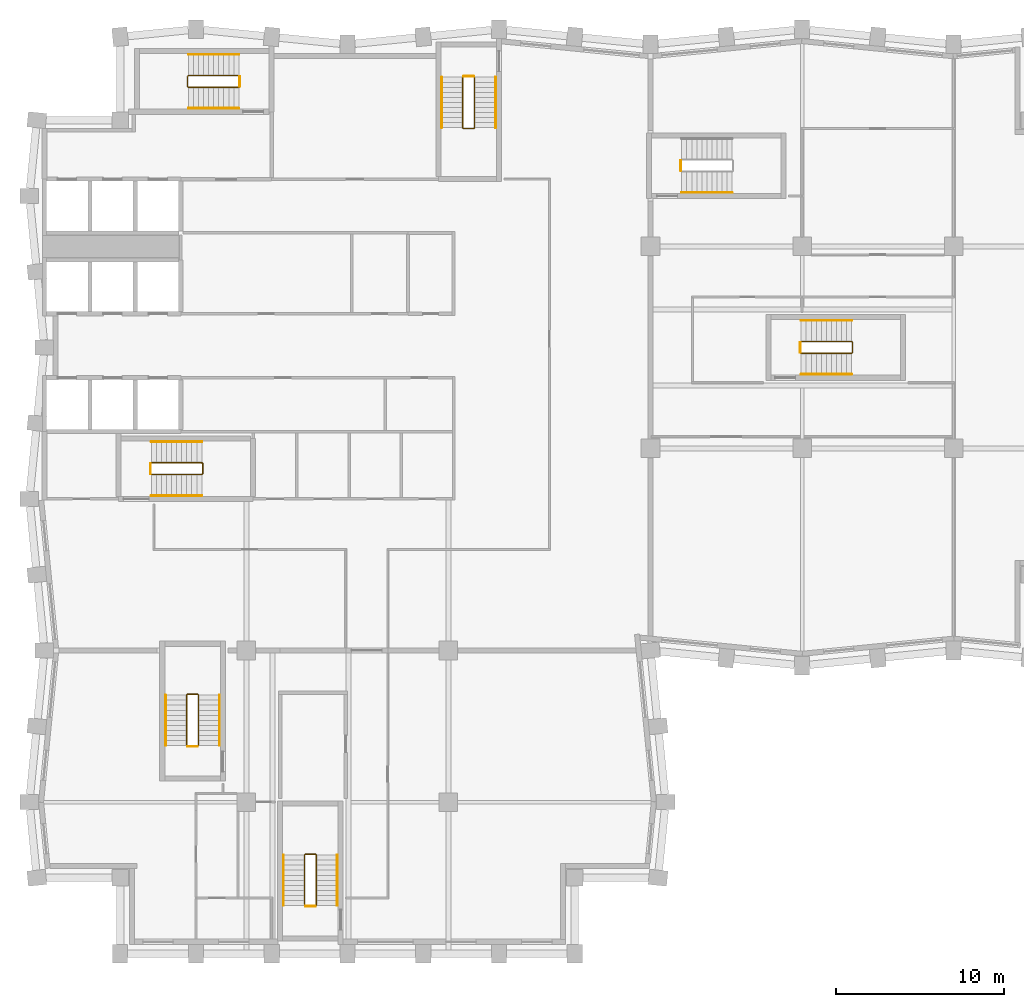
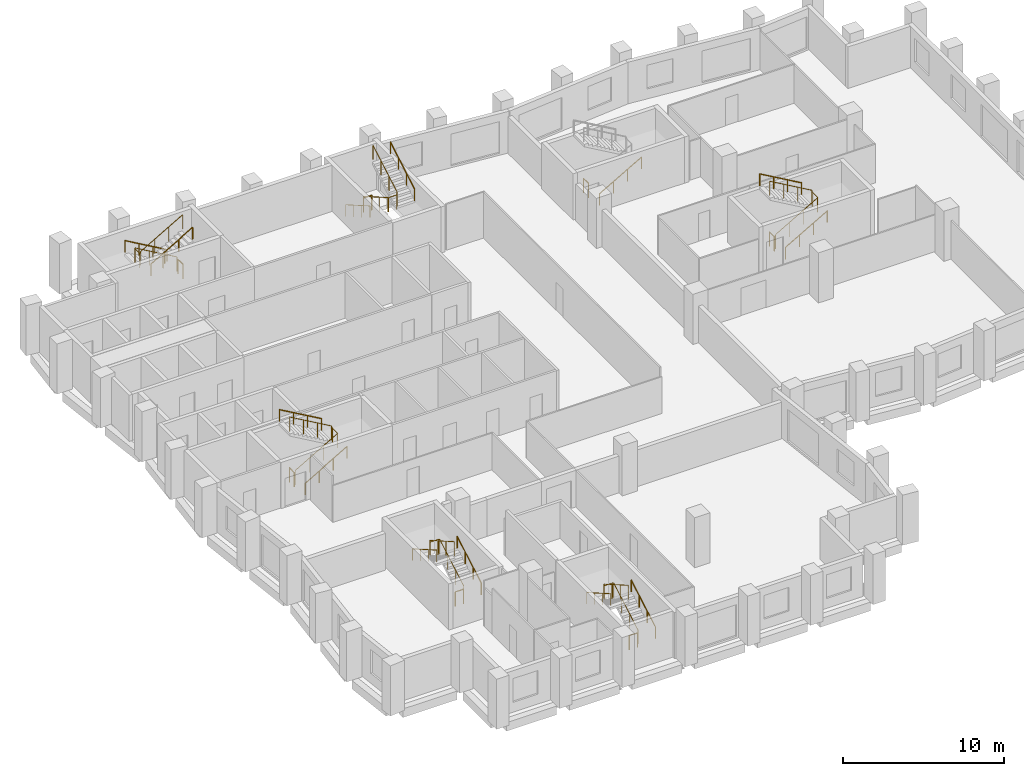
# One storey, part 9 of 10: 26 railings.
"""IFC4 building model written with IfcOpenShell, lengths in metres."""

from ifc_helpers import new_model, si_unit, direction, frame, origin, origin_2d, place, context, subcontext, project, spatial, circle, extrude, material, type_object, element, save


model = new_model("IFC4")

# Units and contexts
model_context = context("Model", 3, precision=1e-05, world=origin(), true_north=direction((0.0, 1.0)))
body_context = subcontext(model_context, "Body", "Model", "MODEL_VIEW")
ifc_project = project(units=[si_unit("LENGTHUNIT", "METRE"), si_unit("AREAUNIT", "SQUARE_METRE"), si_unit("VOLUMEUNIT", "CUBIC_METRE"), si_unit("PLANEANGLEUNIT", "RADIAN"), si_unit("MASSUNIT", "GRAM", prefix="KILO")], contexts=[model_context])

# Site, building, storey
site_placement = place(None, origin())
site = spatial("IfcSite", under=ifc_project, at=site_placement, CompositionType="ELEMENT")
building_placement = place(site_placement, origin())
building = spatial("IfcBuilding", under=site, at=building_placement, Name="Brondeck Convention Tower", CompositionType="ELEMENT")
storey_placement = place(building_placement, frame((0.0, 0.0, 181.39990234375)))
storey = spatial("IfcBuildingStorey", under=building, at=storey_placement, Name="L44", CompositionType="ELEMENT", Elevation=181.39990234375)

# Railings
ifc_material = material(Name="Steel S355", Category="steel")
railing_type_1 = type_object("IfcRailingType", Name="Stair guard 1100", PredefinedType="GUARDRAIL", material=ifc_material)
railing_1_placement = place(storey_placement, frame((6.35009765625, 37.449951171875, 0.1728515625)))
element("IfcRailing", 1, at=railing_1_placement, inside=storey, type_object=railing_type_1, Name="L44 ST-1 stair guard 1", PredefinedType="GUARDRAIL", context=body_context, shape_type="SweptSolid", body=[
    extrude(circle(Radius=0.02392578125, at=origin_2d()), frame((0.0, 0.0, 1.076171875), z_axis=(0.866619684472, 0.0, 0.498969260062), x_axis=(0.0, 1.0, 0.0)), (0.0, 0.0, 1.0), 3.461669921875),
    extrude(circle(Radius=0.02392578125, at=origin_2d()), frame((3.0, 0.0, 2.80322265625), z_axis=(0.705375805398, 0.708833529934, 0.0), x_axis=(-0.708833529934, 0.705375805398, 0.0)), (0.0, 0.0, 1.0), 0.070556640625),
    extrude(circle(Radius=0.02392578125, at=origin_2d()), frame((3.0498046875, 0.050048828125, 2.80322265625), z_axis=(0.0, 1.0, 0.0), x_axis=(-1.0, 0.0, 0.0)), (0.0, 0.0, 1.0), 0.60009765625),
    extrude(circle(Radius=0.02392578125, at=origin_2d()), frame((3.0498046875, 0.650146484375, 2.80322265625), z_axis=(-0.26715648603, 0.26715648603, 0.925880566782), x_axis=(-0.707106781187, -0.707106781187, 0.0)), (0.0, 0.0, 1.0), 0.1865234375),
    extrude(circle(Radius=0.02392578125, at=origin_2d()), frame((3.0, 0.699951171875, 2.97607421875), z_axis=(-0.866619684472, 0.0, 0.498969260062), x_axis=(0.0, -1.0, 0.0)), (0.0, 0.0, 1.0), 3.461669921875),
    extrude(circle(Radius=0.02099609375, at=origin_2d()), origin(), (0.0, 0.0, 1.0), 1.052001953125),
    extrude(circle(Radius=0.02099609375, at=origin_2d()), frame((1.0, 0.0, 0.57568359375)), (0.0, 0.0, 1.0), 1.052001953125),
    extrude(circle(Radius=0.02099609375, at=origin_2d()), frame((2.0, 0.0, 1.151611328125)), (0.0, 0.0, 1.0), 1.052001953125),
    extrude(circle(Radius=0.02099609375, at=origin_2d()), frame((3.0, 0.0, 1.727294921875)), (0.0, 0.0, 1.0), 1.052001953125),
    extrude(circle(Radius=0.02099609375, at=origin_2d()), frame((3.0498046875, 0.050048828125, 1.727294921875)), (0.0, 0.0, 1.0), 1.052001953125),
    extrude(circle(Radius=0.02099609375, at=origin_2d()), frame((3.0498046875, 0.650146484375, 1.727294921875)), (0.0, 0.0, 1.0), 1.052001953125),
    extrude(circle(Radius=0.02099609375, at=origin_2d()), frame((3.0, 0.699951171875, 1.89990234375)), (0.0, 0.0, 1.0), 1.052001953125),
    extrude(circle(Radius=0.02099609375, at=origin_2d()), frame((2.0, 0.699951171875, 2.4755859375)), (0.0, 0.0, 1.0), 1.052001953125),
    extrude(circle(Radius=0.02099609375, at=origin_2d()), frame((1.0, 0.699951171875, 3.051513671875)), (0.0, 0.0, 1.0), 1.052001953125),
    extrude(circle(Radius=0.02099609375, at=origin_2d()), frame((0.0, 0.699951171875, 3.627197265625)), (0.0, 0.0, 1.0), 1.052001953125),
])
railing_2_placement = place(storey_placement, frame((6.300048828125, 37.5, 0.0)))
element("IfcRailing", 2, at=railing_2_placement, inside=storey, type_object=railing_type_1, Name="L44 ST-1 stair guard 2", PredefinedType="GUARDRAIL", context=body_context, shape_type="SweptSolid", body=[
    extrude(circle(Radius=0.02392578125, at=origin_2d()), frame((0.0, 0.0, 1.076171875), z_axis=(0.0, 1.0, 0.0), x_axis=(-1.0, 0.0, 0.0)), (0.0, 0.0, 1.0), 0.60009765625),
    extrude(circle(Radius=0.02099609375, at=origin_2d()), origin(), (0.0, 0.0, 1.0), 1.052001953125),
    extrude(circle(Radius=0.02099609375, at=origin_2d()), frame((0.0, 0.60009765625, 0.0)), (0.0, 0.0, 1.0), 1.052001953125),
])
railing_3_placement = place(storey_placement, frame((24.85009765625, 61.050048828125, 0.1728515625)))
element("IfcRailing", 3, at=railing_3_placement, inside=storey, type_object=railing_type_1, Name="L44 ST-2 stair guard 1", PredefinedType="GUARDRAIL", context=body_context, shape_type="SweptSolid", body=[
    extrude(circle(Radius=0.02392578125, at=origin_2d()), frame((0.0, 0.0, 1.076171875), z_axis=(0.0, -0.866619684472, 0.498969260062), x_axis=(1.0, 0.0, 0.0)), (0.0, 0.0, 1.0), 3.461669921875),
    extrude(circle(Radius=0.02392578125, at=origin_2d()), frame((0.0, -3.0, 2.80322265625), z_axis=(0.705375805398, -0.708833529934, 0.0), x_axis=(0.708833529934, 0.705375805398, 0.0)), (0.0, 0.0, 1.0), 0.070556640625),
    extrude(circle(Radius=0.02392578125, at=origin_2d()), frame((0.0498046875, -3.050048828125, 2.80322265625), z_axis=(1.0, 0.0, 0.0), x_axis=(0.0, 1.0, 0.0)), (0.0, 0.0, 1.0), 0.60009765625),
    extrude(circle(Radius=0.02392578125, at=origin_2d()), frame((0.64990234375, -3.050048828125, 2.80322265625), z_axis=(0.268277960024, 0.268277960024, 0.925231793839), x_axis=(-0.707106781187, 0.707106781187, 0.0)), (0.0, 0.0, 1.0), 0.1865234375),
    extrude(circle(Radius=0.02392578125, at=origin_2d()), frame((0.699951171875, -3.0, 2.97607421875), z_axis=(0.0, 0.866619684472, 0.498969260062), x_axis=(-1.0, 0.0, 0.0)), (0.0, 0.0, 1.0), 3.461669921875),
    extrude(circle(Radius=0.02099609375, at=origin_2d()), origin(), (0.0, 0.0, 1.0), 1.052001953125),
    extrude(circle(Radius=0.02099609375, at=origin_2d()), frame((0.0, -1.0, 0.57568359375)), (0.0, 0.0, 1.0), 1.052001953125),
    extrude(circle(Radius=0.02099609375, at=origin_2d()), frame((0.0, -2.0, 1.151611328125)), (0.0, 0.0, 1.0), 1.052001953125),
    extrude(circle(Radius=0.02099609375, at=origin_2d()), frame((0.0, -3.0, 1.727294921875)), (0.0, 0.0, 1.0), 1.052001953125),
    extrude(circle(Radius=0.02099609375, at=origin_2d()), frame((0.0498046875, -3.050048828125, 1.727294921875)), (0.0, 0.0, 1.0), 1.052001953125),
    extrude(circle(Radius=0.02099609375, at=origin_2d()), frame((0.64990234375, -3.050048828125, 1.727294921875)), (0.0, 0.0, 1.0), 1.052001953125),
    extrude(circle(Radius=0.02099609375, at=origin_2d()), frame((0.699951171875, -3.0, 1.89990234375)), (0.0, 0.0, 1.0), 1.052001953125),
    extrude(circle(Radius=0.02099609375, at=origin_2d()), frame((0.699951171875, -2.0, 2.4755859375)), (0.0, 0.0, 1.0), 1.052001953125),
    extrude(circle(Radius=0.02099609375, at=origin_2d()), frame((0.699951171875, -1.0, 3.051513671875)), (0.0, 0.0, 1.0), 1.052001953125),
    extrude(circle(Radius=0.02099609375, at=origin_2d()), frame((0.699951171875, 0.0, 3.627197265625)), (0.0, 0.0, 1.0), 1.052001953125),
])
railing_4_placement = place(storey_placement, frame((24.89990234375, 61.10009765625, 0.0)))
element("IfcRailing", 4, at=railing_4_placement, inside=storey, type_object=railing_type_1, Name="L44 ST-2 stair guard 2", PredefinedType="GUARDRAIL", context=body_context, shape_type="SweptSolid", body=[
    extrude(circle(Radius=0.02392578125, at=origin_2d()), frame((0.0, 0.0, 1.076171875), z_axis=(1.0, 0.0, 0.0), x_axis=(0.0, 1.0, 0.0)), (0.0, 0.0, 1.0), 0.60009765625),
    extrude(circle(Radius=0.02099609375, at=origin_2d()), origin(), (0.0, 0.0, 1.0), 1.052001953125),
    extrude(circle(Radius=0.02099609375, at=origin_2d()), frame((0.60009765625, 0.0, 0.0)), (0.0, 0.0, 1.0), 1.052001953125),
])
railing_5_placement = place(storey_placement, frame((11.550048828125, 61.14990234375, 0.1728515625)))
element("IfcRailing", 5, at=railing_5_placement, inside=storey, type_object=railing_type_1, Name="L44 ST-3 stair guard 1", PredefinedType="GUARDRAIL", context=body_context, shape_type="SweptSolid", body=[
    extrude(circle(Radius=0.02392578125, at=origin_2d()), frame((0.0, 0.0, 1.076171875), z_axis=(-0.866619684472, 0.0, 0.498969260062), x_axis=(0.0, -1.0, 0.0)), (0.0, 0.0, 1.0), 3.461669921875),
    extrude(circle(Radius=0.02392578125, at=origin_2d()), frame((-3.0, 0.0, 2.80322265625), z_axis=(-0.708833529934, -0.705375805398, 0.0), x_axis=(0.705375805398, -0.708833529934, 0.0)), (0.0, 0.0, 1.0), 0.070556640625),
    extrude(circle(Radius=0.02392578125, at=origin_2d()), frame((-3.050048828125, -0.0498046875, 2.80322265625), z_axis=(0.0, -1.0, 0.0), x_axis=(1.0, 0.0, 0.0)), (0.0, 0.0, 1.0), 0.60009765625),
    extrude(circle(Radius=0.02392578125, at=origin_2d()), frame((-3.050048828125, -0.64990234375, 2.80322265625), z_axis=(0.268277960024, -0.268277960024, 0.925231793839), x_axis=(0.707106781187, 0.707106781187, 0.0)), (0.0, 0.0, 1.0), 0.1865234375),
    extrude(circle(Radius=0.02392578125, at=origin_2d()), frame((-3.0, -0.699951171875, 2.97607421875), z_axis=(0.866619684472, 0.0, 0.498969260062), x_axis=(0.0, 1.0, 0.0)), (0.0, 0.0, 1.0), 3.461669921875),
    extrude(circle(Radius=0.02099609375, at=origin_2d()), origin(), (0.0, 0.0, 1.0), 1.052001953125),
    extrude(circle(Radius=0.02099609375, at=origin_2d()), frame((-1.0, 0.0, 0.57568359375)), (0.0, 0.0, 1.0), 1.052001953125),
    extrude(circle(Radius=0.02099609375, at=origin_2d()), frame((-2.0, 0.0, 1.151611328125)), (0.0, 0.0, 1.0), 1.052001953125),
    extrude(circle(Radius=0.02099609375, at=origin_2d()), frame((-3.0, 0.0, 1.727294921875)), (0.0, 0.0, 1.0), 1.052001953125),
    extrude(circle(Radius=0.02099609375, at=origin_2d()), frame((-3.050048828125, -0.0498046875, 1.727294921875)), (0.0, 0.0, 1.0), 1.052001953125),
    extrude(circle(Radius=0.02099609375, at=origin_2d()), frame((-3.050048828125, -0.64990234375, 1.727294921875)), (0.0, 0.0, 1.0), 1.052001953125),
    extrude(circle(Radius=0.02099609375, at=origin_2d()), frame((-3.0, -0.699951171875, 1.89990234375)), (0.0, 0.0, 1.0), 1.052001953125),
    extrude(circle(Radius=0.02099609375, at=origin_2d()), frame((-2.0, -0.699951171875, 2.4755859375)), (0.0, 0.0, 1.0), 1.052001953125),
    extrude(circle(Radius=0.02099609375, at=origin_2d()), frame((-1.0, -0.699951171875, 3.051513671875)), (0.0, 0.0, 1.0), 1.052001953125),
    extrude(circle(Radius=0.02099609375, at=origin_2d()), frame((0.0, -0.699951171875, 3.627197265625)), (0.0, 0.0, 1.0), 1.052001953125),
])
railing_6_placement = place(storey_placement, frame((11.60009765625, 61.10009765625, 0.0)))
element("IfcRailing", 6, at=railing_6_placement, inside=storey, type_object=railing_type_1, Name="L44 ST-3 stair guard 2", PredefinedType="GUARDRAIL", context=body_context, shape_type="SweptSolid", body=[
    extrude(circle(Radius=0.02392578125, at=origin_2d()), frame((0.0, 0.0, 1.076171875), z_axis=(0.0, -1.0, 0.0), x_axis=(1.0, 0.0, 0.0)), (0.0, 0.0, 1.0), 0.60009765625),
    extrude(circle(Radius=0.02099609375, at=origin_2d()), origin(), (0.0, 0.0, 1.0), 1.052001953125),
    extrude(circle(Radius=0.02099609375, at=origin_2d()), frame((0.0, -0.60009765625, 0.0)), (0.0, 0.0, 1.0), 1.052001953125),
])
railing_7_placement = place(storey_placement, frame((37.800048828125, 55.5, 0.0)))
element("IfcRailing", 7, at=railing_7_placement, inside=storey, type_object=railing_type_1, Name="L44 ST-AE stair guard 2", PredefinedType="GUARDRAIL", context=body_context, shape_type="SweptSolid", body=[
    extrude(circle(Radius=0.02392578125, at=origin_2d()), frame((0.0, 0.0, 1.076171875), z_axis=(0.0, 1.0, 0.0), x_axis=(-1.0, 0.0, 0.0)), (0.0, 0.0, 1.0), 0.60009765625),
    extrude(circle(Radius=0.02099609375, at=origin_2d()), origin(), (0.0, 0.0, 1.0), 1.052001953125),
    extrude(circle(Radius=0.02099609375, at=origin_2d()), frame((0.0, 0.60009765625, 0.0)), (0.0, 0.0, 1.0), 1.052001953125),
])
railing_8_placement = place(storey_placement, frame((9.14990234375, 21.35009765625, 0.1728515625)))
element("IfcRailing", 8, at=railing_8_placement, inside=storey, type_object=railing_type_1, Name="L44 ST-BE stair guard 1", PredefinedType="GUARDRAIL", context=body_context, shape_type="SweptSolid", body=[
    extrude(circle(Radius=0.02392578125, at=origin_2d()), frame((0.0, 0.0, 1.076171875), z_axis=(0.0, 0.866619684472, 0.498969260062), x_axis=(-1.0, 0.0, 0.0)), (0.0, 0.0, 1.0), 3.461669921875),
    extrude(circle(Radius=0.02392578125, at=origin_2d()), frame((0.0, 3.0, 2.80322265625), z_axis=(-0.707106781187, 0.707106781187, 0.0), x_axis=(-0.707106781187, -0.707106781187, 0.0)), (0.0, 0.0, 1.0), 0.0703125),
    extrude(circle(Radius=0.02392578125, at=origin_2d()), frame((-0.0498046875, 3.0498046875, 2.80322265625), z_axis=(-1.0, 0.0, 0.0), x_axis=(0.0, -1.0, 0.0)), (0.0, 0.0, 1.0), 0.60009765625),
    extrude(circle(Radius=0.02392578125, at=origin_2d()), frame((-0.64990234375, 3.0498046875, 2.80322265625), z_axis=(-0.268371968888, -0.267062837333, 0.925556009775), x_axis=(0.705375805398, -0.708833529934, 0.0)), (0.0, 0.0, 1.0), 0.1865234375),
    extrude(circle(Radius=0.02392578125, at=origin_2d()), frame((-0.699951171875, 3.0, 2.97607421875), z_axis=(0.0, -0.866619684472, 0.498969260062), x_axis=(1.0, 0.0, 0.0)), (0.0, 0.0, 1.0), 3.461669921875),
    extrude(circle(Radius=0.02099609375, at=origin_2d()), origin(), (0.0, 0.0, 1.0), 1.052001953125),
    extrude(circle(Radius=0.02099609375, at=origin_2d()), frame((0.0, 1.0, 0.57568359375)), (0.0, 0.0, 1.0), 1.052001953125),
    extrude(circle(Radius=0.02099609375, at=origin_2d()), frame((0.0, 2.0, 1.151611328125)), (0.0, 0.0, 1.0), 1.052001953125),
    extrude(circle(Radius=0.02099609375, at=origin_2d()), frame((0.0, 3.0, 1.727294921875)), (0.0, 0.0, 1.0), 1.052001953125),
    extrude(circle(Radius=0.02099609375, at=origin_2d()), frame((-0.0498046875, 3.0498046875, 1.727294921875)), (0.0, 0.0, 1.0), 1.052001953125),
    extrude(circle(Radius=0.02099609375, at=origin_2d()), frame((-0.64990234375, 3.0498046875, 1.727294921875)), (0.0, 0.0, 1.0), 1.052001953125),
    extrude(circle(Radius=0.02099609375, at=origin_2d()), frame((-0.699951171875, 3.0, 1.89990234375)), (0.0, 0.0, 1.0), 1.052001953125),
    extrude(circle(Radius=0.02099609375, at=origin_2d()), frame((-0.699951171875, 2.0, 2.4755859375)), (0.0, 0.0, 1.0), 1.052001953125),
    extrude(circle(Radius=0.02099609375, at=origin_2d()), frame((-0.699951171875, 1.0, 3.051513671875)), (0.0, 0.0, 1.0), 1.052001953125),
    extrude(circle(Radius=0.02099609375, at=origin_2d()), frame((-0.699951171875, 0.0, 3.627197265625)), (0.0, 0.0, 1.0), 1.052001953125),
])
railing_9_placement = place(storey_placement, frame((9.10009765625, 21.300048828125, 0.0)))
element("IfcRailing", 9, at=railing_9_placement, inside=storey, type_object=railing_type_1, Name="L44 ST-BE stair guard 2", PredefinedType="GUARDRAIL", context=body_context, shape_type="SweptSolid", body=[
    extrude(circle(Radius=0.02392578125, at=origin_2d()), frame((0.0, 0.0, 1.076171875), z_axis=(-1.0, 0.0, 0.0), x_axis=(0.0, -1.0, 0.0)), (0.0, 0.0, 1.0), 0.60009765625),
    extrude(circle(Radius=0.02099609375, at=origin_2d()), origin(), (0.0, 0.0, 1.0), 1.052001953125),
    extrude(circle(Radius=0.02099609375, at=origin_2d()), frame((-0.60009765625, 0.0, 0.0)), (0.0, 0.0, 1.0), 1.052001953125),
])
railing_10_placement = place(storey_placement, frame((44.949951171875, 44.64990234375, 0.1728515625)))
element("IfcRailing", 10, at=railing_10_placement, inside=storey, type_object=railing_type_1, Name="L44 ST-AF stair guard 1", PredefinedType="GUARDRAIL", context=body_context, shape_type="SweptSolid", body=[
    extrude(circle(Radius=0.02392578125, at=origin_2d()), frame((0.0, 0.0, 1.076171875), z_axis=(0.866619684472, 0.0, 0.498969260062), x_axis=(0.0, 1.0, 0.0)), (0.0, 0.0, 1.0), 3.461669921875),
    extrude(circle(Radius=0.02392578125, at=origin_2d()), frame((3.0, 0.0, 2.80322265625), z_axis=(0.707106781187, 0.707106781187, 0.0), x_axis=(-0.707106781187, 0.707106781187, 0.0)), (0.0, 0.0, 1.0), 0.07080078125),
    extrude(circle(Radius=0.02392578125, at=origin_2d()), frame((3.050048828125, 0.050048828125, 2.80322265625), z_axis=(0.0, 1.0, 0.0), x_axis=(-1.0, 0.0, 0.0)), (0.0, 0.0, 1.0), 0.60009765625),
    extrude(circle(Radius=0.02392578125, at=origin_2d()), frame((3.050048828125, 0.650146484375, 2.80322265625), z_axis=(-0.268277960024, 0.268277960024, 0.925231793839), x_axis=(-0.707106781187, -0.707106781187, 0.0)), (0.0, 0.0, 1.0), 0.1865234375),
    extrude(circle(Radius=0.02392578125, at=origin_2d()), frame((3.0, 0.7001953125, 2.97607421875), z_axis=(-0.866619684472, 0.0, 0.498969260062), x_axis=(0.0, -1.0, 0.0)), (0.0, 0.0, 1.0), 3.461669921875),
    extrude(circle(Radius=0.02099609375, at=origin_2d()), origin(), (0.0, 0.0, 1.0), 1.052001953125),
    extrude(circle(Radius=0.02099609375, at=origin_2d()), frame((1.0, 0.0, 0.57568359375)), (0.0, 0.0, 1.0), 1.052001953125),
    extrude(circle(Radius=0.02099609375, at=origin_2d()), frame((2.0, 0.0, 1.151611328125)), (0.0, 0.0, 1.0), 1.052001953125),
    extrude(circle(Radius=0.02099609375, at=origin_2d()), frame((3.0, 0.0, 1.727294921875)), (0.0, 0.0, 1.0), 1.052001953125),
    extrude(circle(Radius=0.02099609375, at=origin_2d()), frame((3.050048828125, 0.050048828125, 1.727294921875)), (0.0, 0.0, 1.0), 1.052001953125),
    extrude(circle(Radius=0.02099609375, at=origin_2d()), frame((3.050048828125, 0.650146484375, 1.727294921875)), (0.0, 0.0, 1.0), 1.052001953125),
    extrude(circle(Radius=0.02099609375, at=origin_2d()), frame((3.0, 0.7001953125, 1.89990234375)), (0.0, 0.0, 1.0), 1.052001953125),
    extrude(circle(Radius=0.02099609375, at=origin_2d()), frame((2.0, 0.7001953125, 2.4755859375)), (0.0, 0.0, 1.0), 1.052001953125),
    extrude(circle(Radius=0.02099609375, at=origin_2d()), frame((1.0, 0.7001953125, 3.051513671875)), (0.0, 0.0, 1.0), 1.052001953125),
    extrude(circle(Radius=0.02099609375, at=origin_2d()), frame((0.0, 0.7001953125, 3.627197265625)), (0.0, 0.0, 1.0), 1.052001953125),
])
railing_11_placement = place(storey_placement, frame((44.89990234375, 44.699951171875, 0.0)))
element("IfcRailing", 11, at=railing_11_placement, inside=storey, type_object=railing_type_1, Name="L44 ST-AF stair guard 2", PredefinedType="GUARDRAIL", context=body_context, shape_type="SweptSolid", body=[
    extrude(circle(Radius=0.02392578125, at=origin_2d()), frame((0.0, 0.0, 1.076171875), z_axis=(0.0, 1.0, 0.0), x_axis=(-1.0, 0.0, 0.0)), (0.0, 0.0, 1.0), 0.60009765625),
    extrude(circle(Radius=0.02099609375, at=origin_2d()), origin(), (0.0, 0.0, 1.0), 1.052001953125),
    extrude(circle(Radius=0.02099609375, at=origin_2d()), frame((0.0, 0.60009765625, 0.0)), (0.0, 0.0, 1.0), 1.052001953125),
])
railing_12_placement = place(storey_placement, frame((16.14990234375, 11.85009765625, 0.1728515625)))
element("IfcRailing", 12, at=railing_12_placement, inside=storey, type_object=railing_type_1, Name="L44 ST-BF stair guard 1", PredefinedType="GUARDRAIL", context=body_context, shape_type="SweptSolid", body=[
    extrude(circle(Radius=0.02392578125, at=origin_2d()), frame((0.0, 0.0, 1.076171875), z_axis=(0.0, 0.866619684472, 0.498969260062), x_axis=(-1.0, 0.0, 0.0)), (0.0, 0.0, 1.0), 3.461669921875),
    extrude(circle(Radius=0.02392578125, at=origin_2d()), frame((0.0, 3.0, 2.80322265625), z_axis=(-0.707106781187, 0.707106781187, 0.0), x_axis=(-0.707106781187, -0.707106781187, 0.0)), (0.0, 0.0, 1.0), 0.0703125),
    extrude(circle(Radius=0.02392578125, at=origin_2d()), frame((-0.0498046875, 3.0498046875, 2.80322265625), z_axis=(-1.0, 0.0, 0.0), x_axis=(0.0, -1.0, 0.0)), (0.0, 0.0, 1.0), 0.60009765625),
    extrude(circle(Radius=0.02392578125, at=origin_2d()), frame((-0.64990234375, 3.0498046875, 2.80322265625), z_axis=(-0.268371968888, -0.267062837333, 0.925556009775), x_axis=(0.705375805398, -0.708833529934, 0.0)), (0.0, 0.0, 1.0), 0.1865234375),
    extrude(circle(Radius=0.02392578125, at=origin_2d()), frame((-0.699951171875, 3.0, 2.97607421875), z_axis=(0.0, -0.866619684472, 0.498969260062), x_axis=(1.0, 0.0, 0.0)), (0.0, 0.0, 1.0), 3.461669921875),
    extrude(circle(Radius=0.02099609375, at=origin_2d()), origin(), (0.0, 0.0, 1.0), 1.052001953125),
    extrude(circle(Radius=0.02099609375, at=origin_2d()), frame((0.0, 1.0, 0.57568359375)), (0.0, 0.0, 1.0), 1.052001953125),
    extrude(circle(Radius=0.02099609375, at=origin_2d()), frame((0.0, 2.0, 1.151611328125)), (0.0, 0.0, 1.0), 1.052001953125),
    extrude(circle(Radius=0.02099609375, at=origin_2d()), frame((0.0, 3.0, 1.727294921875)), (0.0, 0.0, 1.0), 1.052001953125),
    extrude(circle(Radius=0.02099609375, at=origin_2d()), frame((-0.0498046875, 3.0498046875, 1.727294921875)), (0.0, 0.0, 1.0), 1.052001953125),
    extrude(circle(Radius=0.02099609375, at=origin_2d()), frame((-0.64990234375, 3.0498046875, 1.727294921875)), (0.0, 0.0, 1.0), 1.052001953125),
    extrude(circle(Radius=0.02099609375, at=origin_2d()), frame((-0.699951171875, 3.0, 1.89990234375)), (0.0, 0.0, 1.0), 1.052001953125),
    extrude(circle(Radius=0.02099609375, at=origin_2d()), frame((-0.699951171875, 2.0, 2.4755859375)), (0.0, 0.0, 1.0), 1.052001953125),
    extrude(circle(Radius=0.02099609375, at=origin_2d()), frame((-0.699951171875, 1.0, 3.051513671875)), (0.0, 0.0, 1.0), 1.052001953125),
    extrude(circle(Radius=0.02099609375, at=origin_2d()), frame((-0.699951171875, 0.0, 3.627197265625)), (0.0, 0.0, 1.0), 1.052001953125),
])
railing_13_placement = place(storey_placement, frame((16.10009765625, 11.800048828125, 0.0)))
element("IfcRailing", 13, at=railing_13_placement, inside=storey, type_object=railing_type_1, Name="L44 ST-BF stair guard 2", PredefinedType="GUARDRAIL", context=body_context, shape_type="SweptSolid", body=[
    extrude(circle(Radius=0.02392578125, at=origin_2d()), frame((0.0, 0.0, 1.076171875), z_axis=(-1.0, 0.0, 0.0), x_axis=(0.0, -1.0, 0.0)), (0.0, 0.0, 1.0), 0.60009765625),
    extrude(circle(Radius=0.02099609375, at=origin_2d()), origin(), (0.0, 0.0, 1.0), 1.052001953125),
    extrude(circle(Radius=0.02099609375, at=origin_2d()), frame((-0.60009765625, 0.0, 0.0)), (0.0, 0.0, 1.0), 1.052001953125),
])
railing_type_2 = type_object("IfcRailingType", Name="Stair handrail", PredefinedType="HANDRAIL", material=ifc_material)
railing_14_placement = place(storey_placement, frame((6.35009765625, 36.199951171875, 0.1728515625)))
element("IfcRailing", 14, at=railing_14_placement, inside=storey, type_object=railing_type_2, Name="L44 ST-1 stair handrail 1", PredefinedType="HANDRAIL", context=body_context, shape_type="SweptSolid", body=[
    extrude(circle(Radius=0.02392578125, at=origin_2d()), frame((0.0, 0.0, 0.8759765625), z_axis=(0.866619684472, 0.0, 0.498969260062), x_axis=(0.0, 1.0, 0.0)), (0.0, 0.0, 1.0), 3.461669921875),
    extrude(circle(Radius=0.02099609375, at=origin_2d()), origin(), (0.0, 0.0, 1.0), 0.851806640625),
    extrude(circle(Radius=0.02099609375, at=origin_2d()), frame((1.0, 0.0, 0.57568359375)), (0.0, 0.0, 1.0), 0.851806640625),
    extrude(circle(Radius=0.02099609375, at=origin_2d()), frame((2.0, 0.0, 1.151611328125)), (0.0, 0.0, 1.0), 0.851806640625),
    extrude(circle(Radius=0.02099609375, at=origin_2d()), frame((3.0, 0.0, 1.727294921875)), (0.0, 0.0, 1.0), 0.851806640625),
])
railing_15_placement = place(storey_placement, frame((9.35009765625, 39.39990234375, 2.07275390625)))
element("IfcRailing", 15, at=railing_15_placement, inside=storey, type_object=railing_type_2, Name="L44 ST-1 stair handrail 2", PredefinedType="HANDRAIL", context=body_context, shape_type="SweptSolid", body=[
    extrude(circle(Radius=0.02392578125, at=origin_2d()), frame((0.0, 0.0, 0.8759765625), z_axis=(-0.866619684472, 0.0, 0.498969260062), x_axis=(0.0, -1.0, 0.0)), (0.0, 0.0, 1.0), 3.461669921875),
    extrude(circle(Radius=0.02099609375, at=origin_2d()), origin(), (0.0, 0.0, 1.0), 0.851806640625),
    extrude(circle(Radius=0.02099609375, at=origin_2d()), frame((-1.0, 0.0, 0.57568359375)), (0.0, 0.0, 1.0), 0.851806640625),
    extrude(circle(Radius=0.02099609375, at=origin_2d()), frame((-2.0, 0.0, 1.151611328125)), (0.0, 0.0, 1.0), 0.851806640625),
    extrude(circle(Radius=0.02099609375, at=origin_2d()), frame((-3.0, 0.0, 1.727294921875)), (0.0, 0.0, 1.0), 0.851806640625),
])
railing_16_placement = place(storey_placement, frame((23.60009765625, 61.050048828125, 0.1728515625)))
element("IfcRailing", 16, at=railing_16_placement, inside=storey, type_object=railing_type_2, Name="L44 ST-2 stair handrail 1", PredefinedType="HANDRAIL", context=body_context, shape_type="SweptSolid", body=[
    extrude(circle(Radius=0.02392578125, at=origin_2d()), frame((0.0, 0.0, 0.8759765625), z_axis=(0.0, -0.866619684472, 0.498969260062), x_axis=(1.0, 0.0, 0.0)), (0.0, 0.0, 1.0), 3.461669921875),
    extrude(circle(Radius=0.02099609375, at=origin_2d()), origin(), (0.0, 0.0, 1.0), 0.851806640625),
    extrude(circle(Radius=0.02099609375, at=origin_2d()), frame((0.0, -1.0, 0.57568359375)), (0.0, 0.0, 1.0), 0.851806640625),
    extrude(circle(Radius=0.02099609375, at=origin_2d()), frame((0.0, -2.0, 1.151611328125)), (0.0, 0.0, 1.0), 0.851806640625),
    extrude(circle(Radius=0.02099609375, at=origin_2d()), frame((0.0, -3.0, 1.727294921875)), (0.0, 0.0, 1.0), 0.851806640625),
])
railing_17_placement = place(storey_placement, frame((26.800048828125, 58.050048828125, 2.07275390625)))
element("IfcRailing", 17, at=railing_17_placement, inside=storey, type_object=railing_type_2, Name="L44 ST-2 stair handrail 2", PredefinedType="HANDRAIL", context=body_context, shape_type="SweptSolid", body=[
    extrude(circle(Radius=0.02392578125, at=origin_2d()), frame((0.0, 0.0, 0.8759765625), z_axis=(0.0, 0.866619684472, 0.498969260062), x_axis=(-1.0, 0.0, 0.0)), (0.0, 0.0, 1.0), 3.461669921875),
    extrude(circle(Radius=0.02099609375, at=origin_2d()), origin(), (0.0, 0.0, 1.0), 0.851806640625),
    extrude(circle(Radius=0.02099609375, at=origin_2d()), frame((0.0, 1.0, 0.57568359375)), (0.0, 0.0, 1.0), 0.851806640625),
    extrude(circle(Radius=0.02099609375, at=origin_2d()), frame((0.0, 2.0, 1.151611328125)), (0.0, 0.0, 1.0), 0.851806640625),
    extrude(circle(Radius=0.02099609375, at=origin_2d()), frame((0.0, 3.0, 1.727294921875)), (0.0, 0.0, 1.0), 0.851806640625),
])
railing_18_placement = place(storey_placement, frame((11.550048828125, 62.39990234375, 0.1728515625)))
element("IfcRailing", 18, at=railing_18_placement, inside=storey, type_object=railing_type_2, Name="L44 ST-3 stair handrail 1", PredefinedType="HANDRAIL", context=body_context, shape_type="SweptSolid", body=[
    extrude(circle(Radius=0.02392578125, at=origin_2d()), frame((0.0, 0.0, 0.8759765625), z_axis=(-0.866619684472, 0.0, 0.498969260062), x_axis=(0.0, -1.0, 0.0)), (0.0, 0.0, 1.0), 3.461669921875),
    extrude(circle(Radius=0.02099609375, at=origin_2d()), origin(), (0.0, 0.0, 1.0), 0.851806640625),
    extrude(circle(Radius=0.02099609375, at=origin_2d()), frame((-1.0, 0.0, 0.57568359375)), (0.0, 0.0, 1.0), 0.851806640625),
    extrude(circle(Radius=0.02099609375, at=origin_2d()), frame((-2.0, 0.0, 1.151611328125)), (0.0, 0.0, 1.0), 0.851806640625),
    extrude(circle(Radius=0.02099609375, at=origin_2d()), frame((-3.0, 0.0, 1.727294921875)), (0.0, 0.0, 1.0), 0.851806640625),
])
for number, where, name in (
    (19, (8.550048828125, 59.199951171875, 2.07275390625), "L44 ST-3 stair handrail 2"),
    (20, (37.85009765625, 54.199951171875, 0.1728515625), "L44 ST-AE stair handrail 1"),
):
    element("IfcRailing", number, at=place(storey_placement, frame(where)), inside=storey, type_object=railing_type_2, Name=name, PredefinedType="HANDRAIL", context=body_context, shape_type="SweptSolid", body=[
        extrude(circle(Radius=0.02392578125, at=origin_2d()), frame((0.0, 0.0, 0.8759765625), z_axis=(0.866619684472, 0.0, 0.498969260062), x_axis=(0.0, 1.0, 0.0)), (0.0, 0.0, 1.0), 3.461669921875),
        extrude(circle(Radius=0.02099609375, at=origin_2d()), origin(), (0.0, 0.0, 1.0), 0.851806640625),
        extrude(circle(Radius=0.02099609375, at=origin_2d()), frame((1.0, 0.0, 0.57568359375)), (0.0, 0.0, 1.0), 0.851806640625),
        extrude(circle(Radius=0.02099609375, at=origin_2d()), frame((2.0, 0.0, 1.151611328125)), (0.0, 0.0, 1.0), 0.851806640625),
        extrude(circle(Radius=0.02099609375, at=origin_2d()), frame((3.0, 0.0, 1.727294921875)), (0.0, 0.0, 1.0), 0.851806640625),
    ])
railing_19_placement = place(storey_placement, frame((10.39990234375, 21.35009765625, 0.1728515625)))
element("IfcRailing", 21, at=railing_19_placement, inside=storey, type_object=railing_type_2, Name="L44 ST-BE stair handrail 1", PredefinedType="HANDRAIL", context=body_context, shape_type="SweptSolid", body=[
    extrude(circle(Radius=0.02392578125, at=origin_2d()), frame((0.0, 0.0, 0.8759765625), z_axis=(0.0, 0.866619684472, 0.498969260062), x_axis=(-1.0, 0.0, 0.0)), (0.0, 0.0, 1.0), 3.461669921875),
    extrude(circle(Radius=0.02099609375, at=origin_2d()), origin(), (0.0, 0.0, 1.0), 0.851806640625),
    extrude(circle(Radius=0.02099609375, at=origin_2d()), frame((0.0, 1.0, 0.57568359375)), (0.0, 0.0, 1.0), 0.851806640625),
    extrude(circle(Radius=0.02099609375, at=origin_2d()), frame((0.0, 2.0, 1.151611328125)), (0.0, 0.0, 1.0), 0.851806640625),
    extrude(circle(Radius=0.02099609375, at=origin_2d()), frame((0.0, 3.0, 1.727294921875)), (0.0, 0.0, 1.0), 0.851806640625),
])
railing_20_placement = place(storey_placement, frame((7.199951171875, 24.35009765625, 2.07275390625)))
element("IfcRailing", 22, at=railing_20_placement, inside=storey, type_object=railing_type_2, Name="L44 ST-BE stair handrail 2", PredefinedType="HANDRAIL", context=body_context, shape_type="SweptSolid", body=[
    extrude(circle(Radius=0.02392578125, at=origin_2d()), frame((0.0, 0.0, 0.8759765625), z_axis=(0.0, -0.866619684472, 0.498969260062), x_axis=(1.0, 0.0, 0.0)), (0.0, 0.0, 1.0), 3.461669921875),
    extrude(circle(Radius=0.02099609375, at=origin_2d()), origin(), (0.0, 0.0, 1.0), 0.851806640625),
    extrude(circle(Radius=0.02099609375, at=origin_2d()), frame((0.0, -1.0, 0.57568359375)), (0.0, 0.0, 1.0), 0.851806640625),
    extrude(circle(Radius=0.02099609375, at=origin_2d()), frame((0.0, -2.0, 1.151611328125)), (0.0, 0.0, 1.0), 0.851806640625),
    extrude(circle(Radius=0.02099609375, at=origin_2d()), frame((0.0, -3.0, 1.727294921875)), (0.0, 0.0, 1.0), 0.851806640625),
])
railing_21_placement = place(storey_placement, frame((44.949951171875, 43.39990234375, 0.1728515625)))
element("IfcRailing", 23, at=railing_21_placement, inside=storey, type_object=railing_type_2, Name="L44 ST-AF stair handrail 1", PredefinedType="HANDRAIL", context=body_context, shape_type="SweptSolid", body=[
    extrude(circle(Radius=0.02392578125, at=origin_2d()), frame((0.0, 0.0, 0.8759765625), z_axis=(0.866619684472, 0.0, 0.498969260062), x_axis=(0.0, 1.0, 0.0)), (0.0, 0.0, 1.0), 3.461669921875),
    extrude(circle(Radius=0.02099609375, at=origin_2d()), origin(), (0.0, 0.0, 1.0), 0.851806640625),
    extrude(circle(Radius=0.02099609375, at=origin_2d()), frame((1.0, 0.0, 0.57568359375)), (0.0, 0.0, 1.0), 0.851806640625),
    extrude(circle(Radius=0.02099609375, at=origin_2d()), frame((2.0, 0.0, 1.151611328125)), (0.0, 0.0, 1.0), 0.851806640625),
    extrude(circle(Radius=0.02099609375, at=origin_2d()), frame((3.0, 0.0, 1.727294921875)), (0.0, 0.0, 1.0), 0.851806640625),
])
railing_22_placement = place(storey_placement, frame((47.949951171875, 46.60009765625, 2.07275390625)))
element("IfcRailing", 24, at=railing_22_placement, inside=storey, type_object=railing_type_2, Name="L44 ST-AF stair handrail 2", PredefinedType="HANDRAIL", context=body_context, shape_type="SweptSolid", body=[
    extrude(circle(Radius=0.02392578125, at=origin_2d()), frame((0.0, 0.0, 0.8759765625), z_axis=(-0.866619684472, 0.0, 0.498969260062), x_axis=(0.0, -1.0, 0.0)), (0.0, 0.0, 1.0), 3.461669921875),
    extrude(circle(Radius=0.02099609375, at=origin_2d()), origin(), (0.0, 0.0, 1.0), 0.851806640625),
    extrude(circle(Radius=0.02099609375, at=origin_2d()), frame((-1.0, 0.0, 0.57568359375)), (0.0, 0.0, 1.0), 0.851806640625),
    extrude(circle(Radius=0.02099609375, at=origin_2d()), frame((-2.0, 0.0, 1.151611328125)), (0.0, 0.0, 1.0), 0.851806640625),
    extrude(circle(Radius=0.02099609375, at=origin_2d()), frame((-3.0, 0.0, 1.727294921875)), (0.0, 0.0, 1.0), 0.851806640625),
])
railing_23_placement = place(storey_placement, frame((17.39990234375, 11.85009765625, 0.1728515625)))
element("IfcRailing", 25, at=railing_23_placement, inside=storey, type_object=railing_type_2, Name="L44 ST-BF stair handrail 1", PredefinedType="HANDRAIL", context=body_context, shape_type="SweptSolid", body=[
    extrude(circle(Radius=0.02392578125, at=origin_2d()), frame((0.0, 0.0, 0.8759765625), z_axis=(0.0, 0.866619684472, 0.498969260062), x_axis=(-1.0, 0.0, 0.0)), (0.0, 0.0, 1.0), 3.461669921875),
    extrude(circle(Radius=0.02099609375, at=origin_2d()), origin(), (0.0, 0.0, 1.0), 0.851806640625),
    extrude(circle(Radius=0.02099609375, at=origin_2d()), frame((0.0, 1.0, 0.57568359375)), (0.0, 0.0, 1.0), 0.851806640625),
    extrude(circle(Radius=0.02099609375, at=origin_2d()), frame((0.0, 2.0, 1.151611328125)), (0.0, 0.0, 1.0), 0.851806640625),
    extrude(circle(Radius=0.02099609375, at=origin_2d()), frame((0.0, 3.0, 1.727294921875)), (0.0, 0.0, 1.0), 0.851806640625),
])
railing_24_placement = place(storey_placement, frame((14.199951171875, 14.85009765625, 2.07275390625)))
element("IfcRailing", 26, at=railing_24_placement, inside=storey, type_object=railing_type_2, Name="L44 ST-BF stair handrail 2", PredefinedType="HANDRAIL", context=body_context, shape_type="SweptSolid", body=[
    extrude(circle(Radius=0.02392578125, at=origin_2d()), frame((0.0, 0.0, 0.8759765625), z_axis=(0.0, -0.866619684472, 0.498969260062), x_axis=(1.0, 0.0, 0.0)), (0.0, 0.0, 1.0), 3.461669921875),
    extrude(circle(Radius=0.02099609375, at=origin_2d()), origin(), (0.0, 0.0, 1.0), 0.851806640625),
    extrude(circle(Radius=0.02099609375, at=origin_2d()), frame((0.0, -1.0, 0.57568359375)), (0.0, 0.0, 1.0), 0.851806640625),
    extrude(circle(Radius=0.02099609375, at=origin_2d()), frame((0.0, -2.0, 1.151611328125)), (0.0, 0.0, 1.0), 0.851806640625),
    extrude(circle(Radius=0.02099609375, at=origin_2d()), frame((0.0, -3.0, 1.727294921875)), (0.0, 0.0, 1.0), 0.851806640625),
])

save(model, "model.ifc")
